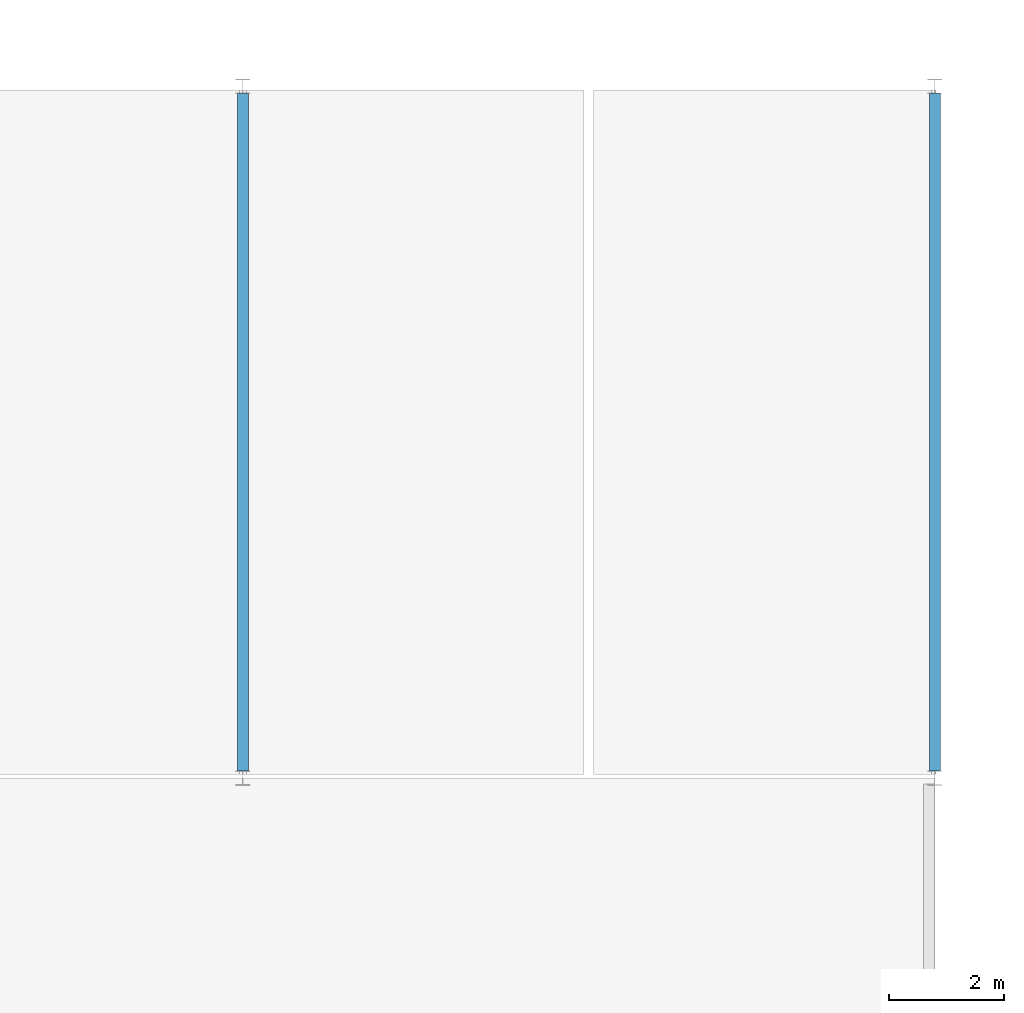
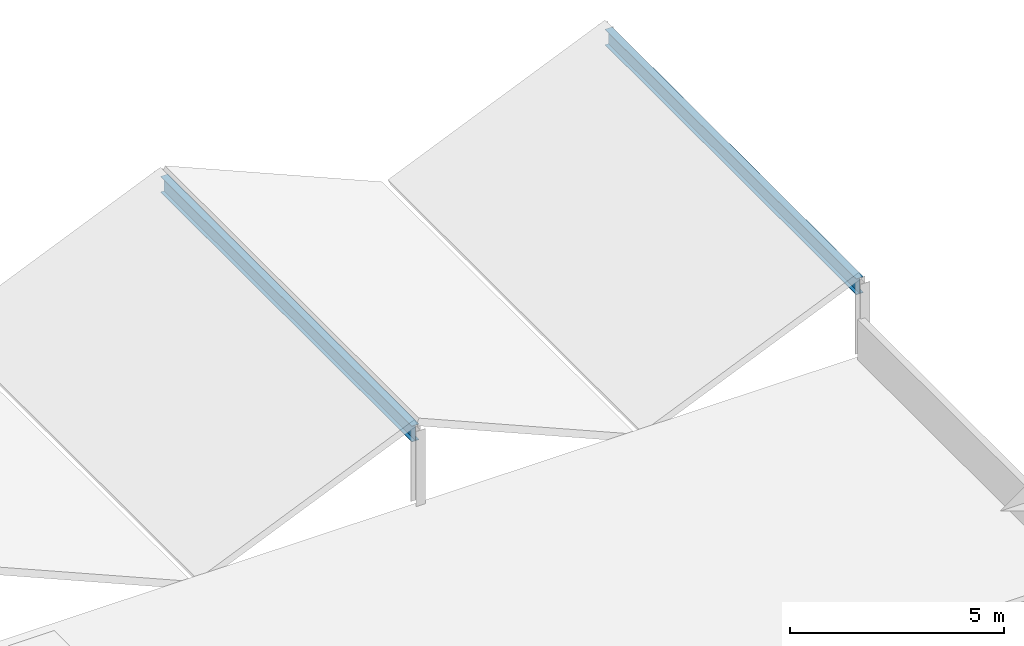
# One storey, part 185 of 236: 2 beams.
"""IFC4 building model written with IfcOpenShell, lengths in metres."""

from ifc_helpers import new_model, si_unit, direction, frame, origin, origin_2d, place, context, subcontext, project, spatial, i_section, extrude, material, material_profile, profile_set, type_object, element, save


model = new_model("IFC4")

# Units and contexts
model_context = context("Model", 3, precision=1e-05, world=origin(), true_north=direction((0.0, 1.0)))
body_context = subcontext(model_context, "Body", "Model", "MODEL_VIEW")
ifc_project = project(units=[si_unit("LENGTHUNIT", "METRE"), si_unit("AREAUNIT", "SQUARE_METRE"), si_unit("VOLUMEUNIT", "CUBIC_METRE"), si_unit("PLANEANGLEUNIT", "RADIAN"), si_unit("MASSUNIT", "GRAM", prefix="KILO")], contexts=[model_context])

# Site, building, storey
site_placement = place(None, origin())
site = spatial("IfcSite", under=ifc_project, at=site_placement, CompositionType="ELEMENT")
building_placement = place(site_placement, origin())
building = spatial("IfcBuilding", under=site, at=building_placement, Name="Pandanus Reach Market Hall", CompositionType="ELEMENT")
storey_placement = place(building_placement, frame((0.0, 0.0, 5.39990234375)))
storey = spatial("IfcBuildingStorey", under=building, at=storey_placement, Name="L01", CompositionType="ELEMENT", Elevation=5.39990234375)

# Beams
ifc_material = material(Name="Steel Grade 350 (350 MPa)", Category="steel")
ifc_material_profile = material_profile(ifc_material, i_section(OverallWidth=0.18994140625, OverallDepth=0.45703125, WebThickness=0.009033203125, FlangeThickness=0.014404296875, at=origin_2d()), Name="460UB74.6", Category="LoadBearing")
ifc_profile_set = profile_set([ifc_material_profile], Name="Steel Grade 350 (350 MPa)")
beam_type = type_object("IfcBeamType", Name="BM-UB460-E", PredefinedType="BEAM", material=ifc_profile_set)
for number, where, z_axis, x_axis, name in (
    (1, (168.0, 108.123046875, 1.91015625), (0.0, 1.0, 0.0), (-1.0, 0.0, 0.0), "Butterfly shell ridge tie beam L01.15"),
    (2, (180.0, 108.123046875, 1.91015625), (0.0, 1.0, 0.0), (-1.0, 0.0, 0.0), "Butterfly shell ridge tie beam L01.16"),
):
    element("IfcBeam", number, at=place(storey_placement, frame(where, z_axis=z_axis, x_axis=x_axis)), inside=storey, type_object=beam_type, Name=name, PredefinedType="BEAM", context=body_context, shape_type="SweptSolid", body=[
        extrude(i_section(OverallWidth=0.18994140625, OverallDepth=0.45703125, WebThickness=0.009033203125, FlangeThickness=0.014404296875, at=origin_2d()), origin(), (0.0, 0.0, 1.0), 11.75390625),
    ])

save(model, "model.ifc")
